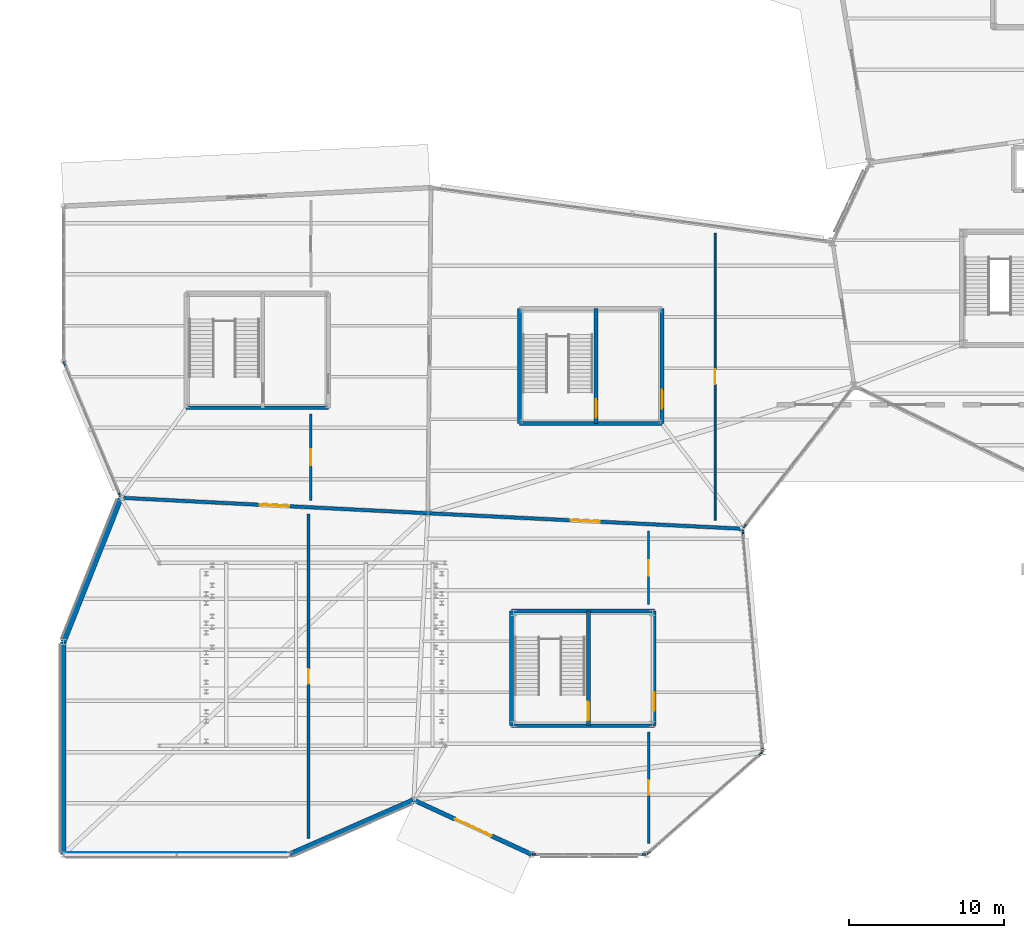
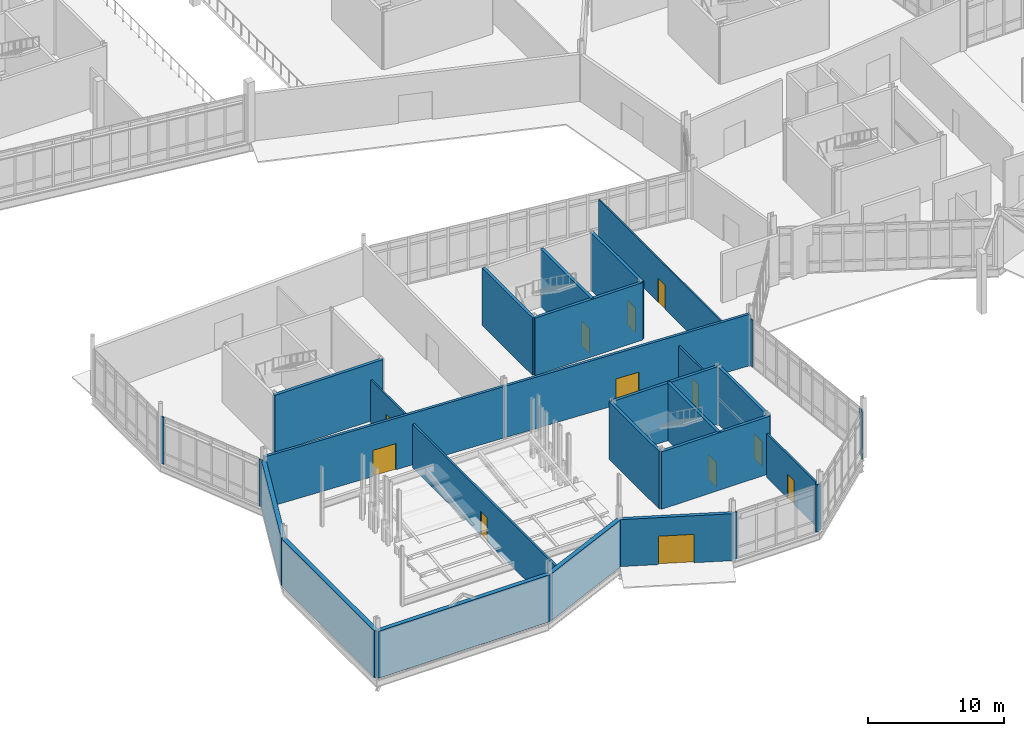
# One storey, part 85 of 113: 31 walls, 12 doors, 12 openings.
"""IFC4 building model written with IfcOpenShell, lengths in metres."""

from ifc_helpers import new_model, si_unit, direction, frame, frame_2d, origin, place, context, subcontext, project, spatial, rectangle, extrude, material, layer, layer_set, type_object, element, fill, save


model = new_model("IFC4")

# Units and contexts
model_context = context("Model", 3, precision=1e-05, world=origin(), true_north=direction((0.0, 1.0)))
body_context = subcontext(model_context, "Body", "Model", "MODEL_VIEW")
ifc_project = project(units=[si_unit("LENGTHUNIT", "METRE"), si_unit("AREAUNIT", "SQUARE_METRE"), si_unit("VOLUMEUNIT", "CUBIC_METRE"), si_unit("PLANEANGLEUNIT", "RADIAN"), si_unit("MASSUNIT", "GRAM", prefix="KILO")], contexts=[model_context])

# Site, building, storey
site_placement = place(None, origin())
site = spatial("IfcSite", under=ifc_project, at=site_placement, CompositionType="ELEMENT")
building_placement = place(site_placement, origin())
building = spatial("IfcBuilding", under=site, at=building_placement, Name="Tameran Prism Museum", CompositionType="ELEMENT")
storey_placement = place(building_placement, origin())
storey = spatial("IfcBuildingStorey", under=building, at=storey_placement, Name="L00", CompositionType="ELEMENT", Elevation=0.0)

# Walls
ifc_material_1 = material(Name="Precast Concrete N40 (40 MPa)", Category="concrete")
ifc_layer_1 = layer(ifc_material_1, 0.360107421875)
ifc_layer_set_1 = layer_set([ifc_layer_1])
wall_type_1 = type_object("IfcWallType", Name="EW-AUD-360", PredefinedType="SOLIDWALL", material=ifc_layer_set_1)
wall_1_placement = place(storey_placement, frame((0.0, 13.699951171875, 0.0), z_axis=(0.0, 0.0, 1.0), x_axis=(0.36968498985, 0.929157149399, 0.0)))
element("IfcWall", 1, at=wall_1_placement, inside=storey, type_object=wall_type_1, Name="Exterior Fluted Precast Wall EW-0123", PredefinedType="SOLIDWALL", context=body_context, shape_type="SweptSolid", body=[
    extrude(rectangle(XDim=9.948974609375, YDim=0.360107421875, at=frame_2d((4.974609375, 0.0))), origin(), (0.0, 0.0, 1.0), 4.219970703125),
])
wall_2_placement = place(storey_placement, frame((0.0, 0.0, 0.0), z_axis=(0.0, 0.0, 1.0), x_axis=(0.0, 1.0, 0.0)))
element("IfcWall", 2, at=wall_2_placement, inside=storey, type_object=wall_type_1, Name="Exterior Fluted Precast Wall EW-0124", PredefinedType="SOLIDWALL", context=body_context, shape_type="SweptSolid", body=[
    extrude(rectangle(XDim=13.699951171875, YDim=0.360107421875, at=frame_2d((6.85009765625, 0.0))), origin(), (0.0, 0.0, 1.0), 4.219970703125),
])
wall_3_placement = place(storey_placement, frame((14.60009765625, 0.0, 0.0), z_axis=(0.0, 0.0, 1.0), x_axis=(-1.0, 0.0, 0.0)))
element("IfcWall", 3, at=wall_3_placement, inside=storey, type_object=wall_type_1, Name="Exterior Fluted Precast Wall EW-0125", PredefinedType="SOLIDWALL", context=body_context, shape_type="SweptSolid", body=[
    extrude(rectangle(XDim=14.60009765625, YDim=0.360107421875, at=frame_2d((7.300048828125, 0.0))), origin(), (0.0, 0.0, 1.0), 4.219970703125),
])
wall_4_placement = place(storey_placement, frame((22.544921875, 3.47607421875, 0.0), z_axis=(0.0, 0.0, 1.0), x_axis=(-0.916148288852, -0.400839510069, 0.0)))
element("IfcWall", 4, at=wall_4_placement, inside=storey, type_object=wall_type_1, Name="Exterior Fluted Precast Wall EW-0126", PredefinedType="SOLIDWALL", context=body_context, shape_type="SweptSolid", body=[
    extrude(rectangle(XDim=8.671875, YDim=0.360107421875, at=frame_2d((4.3359375, 0.0))), origin(), (0.0, 0.0, 1.0), 4.219970703125),
])
ifc_material_2 = material(Name="Precast Concrete N40 (40 MPa)", Category="concrete")
ifc_layer_2 = layer(ifc_material_2, 0.094970703125)
ifc_layer_set_2 = layer_set([ifc_layer_2])
wall_type_2 = type_object("IfcWallType", Name="EW-CLOS-095", PredefinedType="SOLIDWALL", material=ifc_layer_set_2)
for number, where, z_axis, x_axis, name in (
    (5, (37.55810546875, 0.0, 0.0), (0.0, 0.0, 1.0), (-1.0, 0.0, 0.0), "Facade Corner Closure EW-0128"),
    (6, (30.550048828125, 0.0, 0.0), (0.0, 0.0, 1.0), (-1.0, 0.0, 0.0), "Facade Corner Closure EW-0129"),
):
    element("IfcWall", number, at=place(storey_placement, frame(where, z_axis=z_axis, x_axis=x_axis)), inside=storey, type_object=wall_type_2, Name=name, PredefinedType="SOLIDWALL", context=body_context, shape_type="SweptSolid", body=[
        extrude(rectangle(XDim=0.30810546875, YDim=0.094970703125, at=frame_2d((0.154052734375, 0.0))), origin(), (0.0, 0.0, 1.0), 4.219970703125),
    ])
wall_5_placement = place(storey_placement, frame((45.068115234375, 6.572021484375, 0.0), z_axis=(0.0, 0.0, 1.0), x_axis=(-0.75124833206, -0.660019653932, 0.0)))
element("IfcWall", 7, at=wall_5_placement, inside=storey, type_object=wall_type_2, Name="Facade Corner Closure EW-0130", PredefinedType="SOLIDWALL", context=body_context, shape_type="SweptSolid", body=[
    extrude(rectangle(XDim=0.307861328125, YDim=0.094970703125, at=frame_2d((0.15380859375, 0.0))), origin(), (0.0, 0.0, 1.0), 4.219970703125),
])
wall_6_placement = place(storey_placement, frame((37.863037109375, 0.23095703125, 0.0), z_axis=(0.0, 0.0, 1.0), x_axis=(-0.751296149946, -0.659965222627, 0.0)))
element("IfcWall", 8, at=wall_6_placement, inside=storey, type_object=wall_type_2, Name="Facade Corner Closure EW-0131", PredefinedType="SOLIDWALL", context=body_context, shape_type="SweptSolid", body=[
    extrude(rectangle(XDim=0.307373046875, YDim=0.094970703125, at=frame_2d((0.15380859375, 0.0))), origin(), (0.0, 0.0, 1.0), 4.219970703125),
])
for number, where, z_axis, x_axis, name in (
    (9, (43.80908203125, 20.89794921875, 0.0), (0.0, 0.0, 1.0), (0.087176781459, -0.996192857219, 0.0), "Facade Corner Closure EW-0132"),
    (10, (45.069091796875, 6.948974609375, 0.0), (0.0, 0.0, 1.0), (0.087176781459, -0.996192857219, 0.0), "Facade Corner Closure EW-0133"),
    (11, (3.660888671875, 23.093994140625, 0.0), (0.0, 0.0, 1.0), (-0.38894215718, 0.921262176782, 0.0), "Facade Corner Closure EW-0137"),
    (12, (0.135986328125, 31.47705078125, 0.0), (0.0, 0.0, 1.0), (-0.38894215718, 0.921262176782, 0.0), "Facade Corner Closure EW-0138"),
):
    element("IfcWall", number, at=place(storey_placement, frame(where, z_axis=z_axis, x_axis=x_axis)), inside=storey, type_object=wall_type_2, Name=name, PredefinedType="SOLIDWALL", context=body_context, shape_type="SweptSolid", body=[
        extrude(rectangle(XDim=0.30810546875, YDim=0.094970703125, at=frame_2d((0.154052734375, 0.0))), origin(), (0.0, 0.0, 1.0), 4.219970703125),
    ])
wall_7_placement = place(storey_placement, frame((44.052978515625, 21.322998046875, 0.0), z_axis=(0.0, 0.0, 1.0), x_axis=(-0.615966636313, -0.787772240529, 0.0)))
element("IfcWall", 13, at=wall_7_placement, inside=storey, type_object=wall_type_2, Name="Facade Corner Closure EW-0140", PredefinedType="SOLIDWALL", context=body_context, shape_type="SweptSolid", body=[
    extrude(rectangle(XDim=0.308349609375, YDim=0.094970703125, at=frame_2d((0.154296875, 0.0))), origin(), (0.0, 0.0, 1.0), 4.219970703125),
])

# Wall, opening, door
ifc_material_3 = material(Name="Precast Concrete N40 (40 MPa)", Category="concrete")
ifc_layer_3 = layer(ifc_material_3, 0.2900390625)
ifc_layer_set_3 = layer_set([ifc_layer_3])
wall_type_3 = type_object("IfcWallType", Name="EW-FOY-290", PredefinedType="SOLIDWALL", material=ifc_layer_set_3)
wall_8_placement = place(storey_placement, frame((30.199951171875, 0.0, 0.0), z_axis=(0.0, 0.0, 1.0), x_axis=(-0.90830827854, 0.418301411827, 0.0)))
wall_8 = element("IfcWall", 14, at=wall_8_placement, inside=storey, type_object=wall_type_3, Name="Exterior Fluted Precast Wall EW-0127", PredefinedType="SOLIDWALL", context=body_context, shape_type="SweptSolid", body=[
    extrude(rectangle(XDim=8.3076171875, YDim=0.2900390625, at=frame_2d((4.15380859375, 0.0))), origin(), (0.0, 0.0, 1.0), 4.219970703125),
])
opening_1_placement = place(wall_8_placement, frame((2.85400390625, 0.0, 0.0)))
opening_1 = element("IfcOpeningElement", 15, at=opening_1_placement, cuts=wall_8, Name="Opening ED-11", PredefinedType="OPENING", context=body_context, shape_type="SweptSolid", body=[
    extrude(rectangle(XDim=2.60009765625, YDim=2.550048828125, at=frame_2d((1.300048828125, 1.27490234375))), frame((0.0, 0.155029296875, 0.0), z_axis=(0.0, -1.0, 0.0), x_axis=(1.0, 0.0, 0.0)), (0.0, 0.0, 1.0), 0.31005859375),
])
ifc_material_4 = material(Name="Cyclone-Rated Anodised Aluminium 6063-T6 and Laminated Glass", Category="aluminium")
door_type_1 = type_object("IfcDoorType", Name="DR-EXT-240", OperationType="DOUBLE_DOOR_SINGLE_SWING", PredefinedType="DOOR", material=ifc_material_4)
door_1_placement = place(opening_1_placement, origin())
door_1 = element("IfcDoor", 16, at=door_1_placement, inside=storey, type_object=door_type_1, Name="Final Exit Double Door ED-11", OperationType="DOUBLE_DOOR_SINGLE_SWING", OverallHeight=2.550048828125, OverallWidth=2.60009765625, PredefinedType="DOOR", context=body_context, shape_type="SweptSolid", body=[
    extrude(rectangle(XDim=2.60009765625, YDim=2.550048828125, at=frame_2d((1.300048828125, 1.27490234375))), frame((0.0, 0.02490234375, 0.0), z_axis=(0.0, -1.0, 0.0), x_axis=(1.0, 0.0, 0.0)), (0.0, 0.0, 1.0), 0.050048828125),
])
fill(opening_1, door_1)

ifc_material_5 = material(Name="Concrete N40 (40 MPa)", Category="concrete")
ifc_layer_4 = layer(ifc_material_5, 0.22509765625)
ifc_layer_set_4 = layer_set([ifc_layer_4])
wall_type_4 = type_object("IfcWallType", Name="IW-CMP-225", PredefinedType="SOLIDWALL", material=ifc_layer_set_4)
wall_9_placement = place(storey_placement, frame((23.5, 22.0, 0.0), z_axis=(0.0, 0.0, 1.0), x_axis=(-0.99872706092, 0.050440636263, 0.0)))
wall_9 = element("IfcWall", 17, at=wall_9_placement, inside=storey, type_object=wall_type_4, Name="Compartment Wall IW-0043", PredefinedType="SOLIDWALL", context=body_context, shape_type="SweptSolid", body=[
    extrude(rectangle(XDim=19.8251953125, YDim=0.22509765625, at=frame_2d((9.91259765625, 0.0))), origin(), (0.0, 0.0, 1.0), 4.6201171875),
])
opening_2_placement = place(wall_9_placement, frame((8.962890625, 0.0, 0.0)))
opening_2 = element("IfcOpeningElement", 18, at=opening_2_placement, cuts=wall_9, Name="Opening ID-0042", PredefinedType="OPENING", context=body_context, shape_type="SweptSolid", body=[
    extrude(rectangle(XDim=1.89990234375, YDim=2.35009765625, at=frame_2d((0.949951171875, 1.175048828125))), frame((0.0, 0.12255859375, 0.0), z_axis=(0.0, -1.0, 0.0), x_axis=(1.0, 0.0, 0.0)), (0.0, 0.0, 1.0), 0.2451171875),
])
ifc_material_6 = material(Name="Fire-Rated Steel Door Leaf and Frame", Category="steel")
door_type_2 = type_object("IfcDoorType", Name="DR-AUD-190", OperationType="DOUBLE_DOOR_SINGLE_SWING", PredefinedType="DOOR", material=ifc_material_6)
door_2_placement = place(opening_2_placement, origin())
door_2 = element("IfcDoor", 19, at=door_2_placement, inside=storey, type_object=door_type_2, Name="Compartment Door ID-0042", OperationType="DOUBLE_DOOR_SINGLE_SWING", OverallHeight=2.35009765625, OverallWidth=1.89990234375, PredefinedType="DOOR", context=body_context, shape_type="SweptSolid", body=[
    extrude(rectangle(XDim=1.89990234375, YDim=2.35009765625, at=frame_2d((0.949951171875, 1.175048828125))), frame((0.0, 0.02490234375, 0.0), z_axis=(0.0, -1.0, 0.0), x_axis=(1.0, 0.0, 0.0)), (0.0, 0.0, 1.0), 0.050048828125),
])
fill(opening_2, door_2)

wall_10_placement = place(storey_placement, frame((43.800048828125, 21.0, 0.0), z_axis=(0.0, 0.0, 1.0), x_axis=(-0.998788882418, 0.049201304434, 0.0)))
wall_10 = element("IfcWall", 20, at=wall_10_placement, inside=storey, type_object=wall_type_4, Name="Compartment Wall IW-0044", PredefinedType="SOLIDWALL", context=body_context, shape_type="SweptSolid", body=[
    extrude(rectangle(XDim=20.32470703125, YDim=0.22509765625, at=frame_2d((10.162353515625, 0.0))), origin(), (0.0, 0.0, 1.0), 4.6201171875),
])
opening_3_placement = place(wall_10_placement, frame((9.2119140625, 0.0, 0.0)))
opening_3 = element("IfcOpeningElement", 21, at=opening_3_placement, cuts=wall_10, Name="Opening ID-0043", PredefinedType="OPENING", context=body_context, shape_type="SweptSolid", body=[
    extrude(rectangle(XDim=1.89990234375, YDim=2.35009765625, at=frame_2d((0.949951171875, 1.175048828125))), frame((0.0, 0.12255859375, 0.0), z_axis=(0.0, -1.0, 0.0), x_axis=(1.0, 0.0, 0.0)), (0.0, 0.0, 1.0), 0.2451171875),
])
door_3_placement = place(opening_3_placement, origin())
door_3 = element("IfcDoor", 22, at=door_3_placement, inside=storey, type_object=door_type_2, Name="Compartment Door ID-0043", OperationType="DOUBLE_DOOR_SINGLE_SWING", OverallHeight=2.35009765625, OverallWidth=1.89990234375, PredefinedType="DOOR", context=body_context, shape_type="SweptSolid", body=[
    extrude(rectangle(XDim=1.89990234375, YDim=2.35009765625, at=frame_2d((0.949951171875, 1.175048828125))), frame((0.0, 0.02490234375, 0.0), z_axis=(0.0, -1.0, 0.0), x_axis=(1.0, 0.0, 0.0)), (0.0, 0.0, 1.0), 0.050048828125),
])
fill(opening_3, door_3)

# Walls
ifc_material_7 = material(Name="Concrete N40 (40 MPa)", Category="concrete")
ifc_layer_5 = layer(ifc_material_7, 0.25)
ifc_layer_set_5 = layer_set([ifc_layer_5])
wall_type_5 = type_object("IfcWallType", Name="IW-COR-250", PredefinedType="SHEAR", material=ifc_layer_set_5)
wall_11_placement = place(storey_placement, frame((28.89990234375, 8.300048828125, 0.0), z_axis=(0.0, 0.0, 1.0), x_axis=(0.0, 1.0, 0.0)))
element("IfcWall", 23, at=wall_11_placement, inside=storey, type_object=wall_type_5, Name="Core Shear Wall CW-6-L00-W", PredefinedType="SHEAR", context=body_context, shape_type="SweptSolid", body=[
    extrude(rectangle(XDim=7.39990234375, YDim=0.25, at=frame_2d((3.699951171875, 0.0))), origin(), (0.0, 0.0, 1.0), 5.159912109375),
])
for number, where, z_axis, x_axis, name in (
    (24, (28.89990234375, 15.699951171875, 0.0), (0.0, 0.0, 1.0), (1.0, 0.0, 0.0), "Core Shear Wall CW-6-L00-N"),
    (25, (38.10009765625, 8.300048828125, 0.0), (0.0, 0.0, 1.0), (-1.0, 0.0, 0.0), "Core Shear Wall CW-6-L00-S"),
):
    element("IfcWall", number, at=place(storey_placement, frame(where, z_axis=z_axis, x_axis=x_axis)), inside=storey, type_object=wall_type_5, Name=name, PredefinedType="SHEAR", context=body_context, shape_type="SweptSolid", body=[
        extrude(rectangle(XDim=9.2001953125, YDim=0.25, at=frame_2d((4.60009765625, 0.0))), origin(), (0.0, 0.0, 1.0), 5.159912109375),
    ])

# Wall, opening, door
wall_12_placement = place(storey_placement, frame((38.10009765625, 15.699951171875, 0.0), z_axis=(0.0, 0.0, 1.0), x_axis=(0.0, -1.0, 0.0)))
wall_12 = element("IfcWall", 26, at=wall_12_placement, inside=storey, type_object=wall_type_5, Name="Core Shear Wall CW-6-L00-E", PredefinedType="SHEAR", context=body_context, shape_type="SweptSolid", body=[
    extrude(rectangle(XDim=7.39990234375, YDim=0.25, at=frame_2d((3.699951171875, 0.0))), origin(), (0.0, 0.0, 1.0), 5.159912109375),
])
opening_4_placement = place(wall_12_placement, frame((5.25, 0.0, 0.0)))
opening_4 = element("IfcOpeningElement", 27, at=opening_4_placement, cuts=wall_12, Name="Opening FD-0253", PredefinedType="OPENING", context=body_context, shape_type="SweptSolid", body=[
    extrude(rectangle(XDim=1.199951171875, YDim=2.199951171875, at=frame_2d((0.60009765625, 1.10009765625))), frame((0.0, 0.135009765625, 0.0), z_axis=(0.0, -1.0, 0.0), x_axis=(1.0, 0.0, 0.0)), (0.0, 0.0, 1.0), 0.27001953125),
])
ifc_material_8 = material(Name="Fire-Rated Steel Door Leaf and Frame", Category="steel")
door_type_3 = type_object("IfcDoorType", Name="DR-FD-120A", OperationType="NOTDEFINED", PredefinedType="DOOR", material=ifc_material_8)
door_4_placement = place(opening_4_placement, origin())
door_4 = element("IfcDoor", 28, at=door_4_placement, inside=storey, type_object=door_type_3, Name="Core Fire Door FD-0253", OperationType="SINGLE_SWING_LEFT", OverallHeight=2.199951171875, OverallWidth=1.199951171875, PredefinedType="DOOR", context=body_context, shape_type="SweptSolid", body=[
    extrude(rectangle(XDim=1.199951171875, YDim=2.199951171875, at=frame_2d((0.60009765625, 1.10009765625))), frame((0.0, 0.02490234375, 0.0), z_axis=(0.0, -1.0, 0.0), x_axis=(1.0, 0.0, 0.0)), (0.0, 0.0, 1.0), 0.050048828125),
])
fill(opening_4, door_4)

wall_13_placement = place(storey_placement, frame((33.85009765625, 15.699951171875, 0.0), z_axis=(0.0, 0.0, 1.0), x_axis=(0.0, -1.0, 0.0)))
wall_13 = element("IfcWall", 29, at=wall_13_placement, inside=storey, type_object=wall_type_5, Name="Core Shear Wall CW-6-L00-M", PredefinedType="SHEAR", context=body_context, shape_type="SweptSolid", body=[
    extrude(rectangle(XDim=7.39990234375, YDim=0.25, at=frame_2d((3.699951171875, 0.0))), origin(), (0.0, 0.0, 1.0), 5.159912109375),
])
opening_5_placement = place(wall_13_placement, frame((5.85009765625, 0.0, 0.0)))
opening_5 = element("IfcOpeningElement", 30, at=opening_5_placement, cuts=wall_13, Name="Opening FD-0254", PredefinedType="OPENING", context=body_context, shape_type="SweptSolid", body=[
    extrude(rectangle(XDim=1.199951171875, YDim=2.199951171875, at=frame_2d((0.60009765625, 1.10009765625))), frame((0.0, 0.135009765625, 0.0), z_axis=(0.0, -1.0, 0.0), x_axis=(1.0, 0.0, 0.0)), (0.0, 0.0, 1.0), 0.27001953125),
])
door_5_placement = place(opening_5_placement, origin())
door_5 = element("IfcDoor", 31, at=door_5_placement, inside=storey, type_object=door_type_3, Name="Core Fire Door FD-0254", OperationType="SINGLE_SWING_RIGHT", OverallHeight=2.199951171875, OverallWidth=1.199951171875, PredefinedType="DOOR", context=body_context, shape_type="SweptSolid", body=[
    extrude(rectangle(XDim=1.199951171875, YDim=2.199951171875, at=frame_2d((0.60009765625, 1.10009765625))), frame((0.0, 0.02490234375, 0.0), z_axis=(0.0, -1.0, 0.0), x_axis=(1.0, 0.0, 0.0)), (0.0, 0.0, 1.0), 0.050048828125),
])
fill(opening_5, door_5)

# Walls
wall_14_placement = place(storey_placement, frame((17.10009765625, 28.800048828125, 0.0), z_axis=(0.0, 0.0, 1.0), x_axis=(-1.0, 0.0, 0.0)))
element("IfcWall", 32, at=wall_14_placement, inside=storey, type_object=wall_type_5, Name="Core Shear Wall CW-10-L00-S", PredefinedType="SHEAR", context=body_context, shape_type="SweptSolid", body=[
    extrude(rectangle(XDim=9.2001953125, YDim=0.25, at=frame_2d((4.60009765625, 0.0))), origin(), (0.0, 0.0, 1.0), 5.159912109375),
])
wall_15_placement = place(storey_placement, frame((29.39990234375, 27.800048828125, 0.0), z_axis=(0.0, 0.0, 1.0), x_axis=(0.0, 1.0, 0.0)))
element("IfcWall", 33, at=wall_15_placement, inside=storey, type_object=wall_type_5, Name="Core Shear Wall CW-12-L00-W", PredefinedType="SHEAR", context=body_context, shape_type="SweptSolid", body=[
    extrude(rectangle(XDim=7.39990234375, YDim=0.25, at=frame_2d((3.699951171875, 0.0))), origin(), (0.0, 0.0, 1.0), 5.159912109375),
])
wall_16_placement = place(storey_placement, frame((38.60009765625, 27.800048828125, 0.0), z_axis=(0.0, 0.0, 1.0), x_axis=(-1.0, 0.0, 0.0)))
element("IfcWall", 34, at=wall_16_placement, inside=storey, type_object=wall_type_5, Name="Core Shear Wall CW-12-L00-S", PredefinedType="SHEAR", context=body_context, shape_type="SweptSolid", body=[
    extrude(rectangle(XDim=9.2001953125, YDim=0.25, at=frame_2d((4.60009765625, 0.0))), origin(), (0.0, 0.0, 1.0), 5.159912109375),
])

# Wall, opening, door
wall_17_placement = place(storey_placement, frame((38.60009765625, 35.199951171875, 0.0), z_axis=(0.0, 0.0, 1.0), x_axis=(0.0, -1.0, 0.0)))
wall_17 = element("IfcWall", 35, at=wall_17_placement, inside=storey, type_object=wall_type_5, Name="Core Shear Wall CW-12-L00-E", PredefinedType="SHEAR", context=body_context, shape_type="SweptSolid", body=[
    extrude(rectangle(XDim=7.39990234375, YDim=0.25, at=frame_2d((3.699951171875, 0.0))), origin(), (0.0, 0.0, 1.0), 5.159912109375),
])
opening_6_placement = place(wall_17_placement, frame((5.25, 0.0, 0.0)))
opening_6 = element("IfcOpeningElement", 36, at=opening_6_placement, cuts=wall_17, Name="Opening FD-0277", PredefinedType="OPENING", context=body_context, shape_type="SweptSolid", body=[
    extrude(rectangle(XDim=1.199951171875, YDim=2.199951171875, at=frame_2d((0.60009765625, 1.10009765625))), frame((0.0, 0.135009765625, 0.0), z_axis=(0.0, -1.0, 0.0), x_axis=(1.0, 0.0, 0.0)), (0.0, 0.0, 1.0), 0.27001953125),
])
door_6_placement = place(opening_6_placement, origin())
door_6 = element("IfcDoor", 37, at=door_6_placement, inside=storey, type_object=door_type_3, Name="Core Fire Door FD-0277", OperationType="SINGLE_SWING_LEFT", OverallHeight=2.199951171875, OverallWidth=1.199951171875, PredefinedType="DOOR", context=body_context, shape_type="SweptSolid", body=[
    extrude(rectangle(XDim=1.199951171875, YDim=2.199951171875, at=frame_2d((0.60009765625, 1.10009765625))), frame((0.0, 0.02490234375, 0.0), z_axis=(0.0, -1.0, 0.0), x_axis=(1.0, 0.0, 0.0)), (0.0, 0.0, 1.0), 0.050048828125),
])
fill(opening_6, door_6)

wall_18_placement = place(storey_placement, frame((34.35009765625, 35.199951171875, 0.0), z_axis=(0.0, 0.0, 1.0), x_axis=(0.0, -1.0, 0.0)))
wall_18 = element("IfcWall", 38, at=wall_18_placement, inside=storey, type_object=wall_type_5, Name="Core Shear Wall CW-12-L00-M", PredefinedType="SHEAR", context=body_context, shape_type="SweptSolid", body=[
    extrude(rectangle(XDim=7.39990234375, YDim=0.25, at=frame_2d((3.699951171875, 0.0))), origin(), (0.0, 0.0, 1.0), 5.159912109375),
])
opening_7_placement = place(wall_18_placement, frame((5.85009765625, 0.0, 0.0)))
opening_7 = element("IfcOpeningElement", 39, at=opening_7_placement, cuts=wall_18, Name="Opening FD-0278", PredefinedType="OPENING", context=body_context, shape_type="SweptSolid", body=[
    extrude(rectangle(XDim=1.199951171875, YDim=2.199951171875, at=frame_2d((0.60009765625, 1.10009765625))), frame((0.0, 0.135009765625, 0.0), z_axis=(0.0, -1.0, 0.0), x_axis=(1.0, 0.0, 0.0)), (0.0, 0.0, 1.0), 0.27001953125),
])
door_7_placement = place(opening_7_placement, origin())
door_7 = element("IfcDoor", 40, at=door_7_placement, inside=storey, type_object=door_type_3, Name="Core Fire Door FD-0278", OperationType="SINGLE_SWING_RIGHT", OverallHeight=2.199951171875, OverallWidth=1.199951171875, PredefinedType="DOOR", context=body_context, shape_type="SweptSolid", body=[
    extrude(rectangle(XDim=1.199951171875, YDim=2.199951171875, at=frame_2d((0.60009765625, 1.10009765625))), frame((0.0, 0.02490234375, 0.0), z_axis=(0.0, -1.0, 0.0), x_axis=(1.0, 0.0, 0.0)), (0.0, 0.0, 1.0), 0.050048828125),
])
fill(opening_7, door_7)

ifc_material_9 = material(Name="Office Insulated Stud Partition")
ifc_layer_6 = layer(ifc_material_9, 0.1201171875)
ifc_layer_set_6 = layer_set([ifc_layer_6])
wall_type_6 = type_object("IfcWallType", Name="IW-PRT-120", PredefinedType="PARTITIONING", material=ifc_layer_set_6)
wall_19_placement = place(storey_placement, frame((42.02294921875, 21.5380859375, 0.0), z_axis=(0.0, 0.0, 1.0), x_axis=(0.0, 1.0, 0.0)))
wall_19 = element("IfcWall", 41, at=wall_19_placement, inside=storey, type_object=wall_type_6, Name="Internal Partition PT-0070", PredefinedType="PARTITIONING", context=body_context, shape_type="SweptSolid", body=[
    extrude(rectangle(XDim=18.531982421875, YDim=0.1201171875, at=frame_2d((9.26611328125, 0.0))), origin(), (0.0, 0.0, 1.0), 3.919921875),
])
opening_8_placement = place(wall_19_placement, frame((8.77587890625, 0.0, 0.0)))
opening_8 = element("IfcOpeningElement", 42, at=opening_8_placement, cuts=wall_19, Name="Opening ID-0069", PredefinedType="OPENING", context=body_context, shape_type="SweptSolid", body=[
    extrude(rectangle(XDim=0.97998046875, YDim=2.14990234375, at=frame_2d((0.489990234375, 1.074951171875))), frame((0.0, 0.070068359375, 0.0), z_axis=(0.0, -1.0, 0.0), x_axis=(1.0, 0.0, 0.0)), (0.0, 0.0, 1.0), 0.14013671875),
])
ifc_material_10 = material(Name="Acoustic Solid-Core Timber Door", Category="wood")
door_type_4 = type_object("IfcDoorType", Name="DR-INT-098", OperationType="NOTDEFINED", PredefinedType="DOOR", material=ifc_material_10)
door_8_placement = place(opening_8_placement, origin())
door_8 = element("IfcDoor", 43, at=door_8_placement, inside=storey, type_object=door_type_4, Name="Interior Room Door ID-0069", OperationType="SINGLE_SWING_RIGHT", OverallHeight=2.14990234375, OverallWidth=0.97998046875, PredefinedType="DOOR", context=body_context, shape_type="SweptSolid", body=[
    extrude(rectangle(XDim=0.97998046875, YDim=2.14990234375, at=frame_2d((0.489990234375, 1.074951171875))), frame((0.0, 0.02490234375, 0.0), z_axis=(0.0, -1.0, 0.0), x_axis=(1.0, 0.0, 0.0)), (0.0, 0.0, 1.0), 0.050048828125),
])
fill(opening_8, door_8)

ifc_material_11 = material(Name="Acoustic Seminar Stud Partition")
ifc_layer_7 = layer(ifc_material_11, 0.139892578125)
ifc_layer_set_7 = layer_set([ifc_layer_7])
wall_type_7 = type_object("IfcWallType", Name="IW-PRT-140", PredefinedType="PARTITIONING", material=ifc_layer_set_7)
wall_20_placement = place(storey_placement, frame((15.950927734375, 22.83203125, 0.0), z_axis=(0.0, 0.0, 1.0), x_axis=(0.0, 1.0, 0.0)))
wall_20 = element("IfcWall", 44, at=wall_20_placement, inside=storey, type_object=wall_type_7, Name="Internal Partition PT-0068", PredefinedType="PARTITIONING", context=body_context, shape_type="SweptSolid", body=[
    extrude(rectangle(XDim=5.56787109375, YDim=0.139892578125, at=frame_2d((2.783935546875, 0.0))), origin(), (0.0, 0.0, 1.0), 3.919921875),
])
opening_9_placement = place(wall_20_placement, frame((2.259033203125, 0.0, 0.0)))
opening_9 = element("IfcOpeningElement", 45, at=opening_9_placement, cuts=wall_20, Name="Opening ID-0067", PredefinedType="OPENING", context=body_context, shape_type="SweptSolid", body=[
    extrude(rectangle(XDim=1.050048828125, YDim=2.199951171875, at=frame_2d((0.52490234375, 1.10009765625))), frame((0.0, 0.079833984375, 0.0), z_axis=(0.0, -1.0, 0.0), x_axis=(1.0, 0.0, 0.0)), (0.0, 0.0, 1.0), 0.159912109375),
])
ifc_material_12 = material(Name="Fire-Rated Steel Door Leaf and Frame", Category="steel")
door_type_5 = type_object("IfcDoorType", Name="DR-INT-105", OperationType="NOTDEFINED", PredefinedType="DOOR", material=ifc_material_12)
door_9_placement = place(opening_9_placement, origin())
door_9 = element("IfcDoor", 46, at=door_9_placement, inside=storey, type_object=door_type_5, Name="Interior Room Door ID-0067", OperationType="SINGLE_SWING_RIGHT", OverallHeight=2.199951171875, OverallWidth=1.050048828125, PredefinedType="DOOR", context=body_context, shape_type="SweptSolid", body=[
    extrude(rectangle(XDim=1.050048828125, YDim=2.199951171875, at=frame_2d((0.52490234375, 1.10009765625))), frame((0.0, 0.02490234375, 0.0), z_axis=(0.0, -1.0, 0.0), x_axis=(1.0, 0.0, 0.0)), (0.0, 0.0, 1.0), 0.050048828125),
])
fill(opening_9, door_9)

ifc_material_13 = material(Name="Laboratory Moisture-Resistant Partition")
ifc_layer_8 = layer(ifc_material_13, 0.14990234375)
ifc_layer_set_8 = layer_set([ifc_layer_8])
wall_type_8 = type_object("IfcWallType", Name="IW-PRT-150", PredefinedType="PARTITIONING", material=ifc_layer_set_8)
wall_21_placement = place(storey_placement, frame((37.72998046875, 16.10009765625, 0.0), z_axis=(0.0, 0.0, 1.0), x_axis=(0.0, 1.0, 0.0)))
wall_21 = element("IfcWall", 47, at=wall_21_placement, inside=storey, type_object=wall_type_8, Name="Internal Partition PT-0067", PredefinedType="PARTITIONING", context=body_context, shape_type="SweptSolid", body=[
    extrude(rectangle(XDim=4.747802734375, YDim=0.14990234375, at=frame_2d((2.3740234375, 0.0))), origin(), (0.0, 0.0, 1.0), 3.919921875),
])
opening_10_placement = place(wall_21_placement, frame((1.884033203125, 0.0, 0.0)))
opening_10 = element("IfcOpeningElement", 48, at=opening_10_placement, cuts=wall_21, Name="Opening ID-0066", PredefinedType="OPENING", context=body_context, shape_type="SweptSolid", body=[
    extrude(rectangle(XDim=0.97998046875, YDim=2.14990234375, at=frame_2d((0.489990234375, 1.074951171875))), frame((0.0, 0.0849609375, 0.0), z_axis=(0.0, -1.0, 0.0), x_axis=(1.0, 0.0, 0.0)), (0.0, 0.0, 1.0), 0.169921875),
])
door_10_placement = place(opening_10_placement, origin())
door_10 = element("IfcDoor", 49, at=door_10_placement, inside=storey, type_object=door_type_4, Name="Interior Room Door ID-0066", OperationType="SINGLE_SWING_LEFT", OverallHeight=2.14990234375, OverallWidth=0.97998046875, PredefinedType="DOOR", context=body_context, shape_type="SweptSolid", body=[
    extrude(rectangle(XDim=0.97998046875, YDim=2.14990234375, at=frame_2d((0.489990234375, 1.074951171875))), frame((0.0, 0.02490234375, 0.0), z_axis=(0.0, -1.0, 0.0), x_axis=(1.0, 0.0, 0.0)), (0.0, 0.0, 1.0), 0.050048828125),
])
fill(opening_10, door_10)

ifc_material_14 = material(Name="Fire-Rated Corridor Stud Partition")
ifc_layer_9 = layer(ifc_material_14, 0.159912109375)
ifc_layer_set_9 = layer_set([ifc_layer_9])
wall_type_9 = type_object("IfcWallType", Name="IW-PRT-160", PredefinedType="PARTITIONING", material=ifc_layer_set_9)
wall_22_placement = place(storey_placement, frame((37.72998046875, 0.714111328125, 0.0), z_axis=(0.0, 0.0, 1.0), x_axis=(0.0, 1.0, 0.0)))
wall_22 = element("IfcWall", 50, at=wall_22_placement, inside=storey, type_object=wall_type_9, Name="Internal Partition PT-0066", PredefinedType="PARTITIONING", context=body_context, shape_type="SweptSolid", body=[
    extrude(rectangle(XDim=7.185791015625, YDim=0.159912109375, at=frame_2d((3.5927734375, 0.0))), origin(), (0.0, 0.0, 1.0), 3.919921875),
])
opening_11_placement = place(wall_22_placement, frame((3.10302734375, 0.0, 0.0)))
opening_11 = element("IfcOpeningElement", 51, at=opening_11_placement, cuts=wall_22, Name="Opening ID-0065", PredefinedType="OPENING", context=body_context, shape_type="SweptSolid", body=[
    extrude(rectangle(XDim=0.97998046875, YDim=2.14990234375, at=frame_2d((0.489990234375, 1.074951171875))), frame((0.0, 0.08984375, 0.0), z_axis=(0.0, -1.0, 0.0), x_axis=(1.0, 0.0, 0.0)), (0.0, 0.0, 1.0), 0.179931640625),
])
door_11_placement = place(opening_11_placement, origin())
door_11 = element("IfcDoor", 52, at=door_11_placement, inside=storey, type_object=door_type_4, Name="Interior Room Door ID-0065", OperationType="SINGLE_SWING_RIGHT", OverallHeight=2.14990234375, OverallWidth=0.97998046875, PredefinedType="DOOR", context=body_context, shape_type="SweptSolid", body=[
    extrude(rectangle(XDim=0.97998046875, YDim=2.14990234375, at=frame_2d((0.489990234375, 1.074951171875))), frame((0.0, 0.02490234375, 0.0), z_axis=(0.0, -1.0, 0.0), x_axis=(1.0, 0.0, 0.0)), (0.0, 0.0, 1.0), 0.050048828125),
])
fill(opening_11, door_11)

ifc_material_15 = material(Name="Gallery Plywood-Backed Stud Partition", Category="wood")
ifc_layer_10 = layer(ifc_material_15, 0.169921875)
ifc_layer_set_10 = layer_set([ifc_layer_10])
wall_type_10 = type_object("IfcWallType", Name="IW-PRT-170", PredefinedType="PARTITIONING", material=ifc_layer_set_10)
wall_23_placement = place(storey_placement, frame((15.803955078125, 1.01806640625, 0.0), z_axis=(0.0, 0.0, 1.0), x_axis=(0.0, 1.0, 0.0)))
wall_23 = element("IfcWall", 53, at=wall_23_placement, inside=storey, type_object=wall_type_10, Name="Internal Partition PT-0065", PredefinedType="PARTITIONING", context=body_context, shape_type="SweptSolid", body=[
    extrude(rectangle(XDim=20.919921875, YDim=0.169921875, at=frame_2d((10.4599609375, 0.0))), origin(), (0.0, 0.0, 1.0), 3.919921875),
])
opening_12_placement = place(wall_23_placement, frame((9.985107421875, 0.0, 0.0)))
opening_12 = element("IfcOpeningElement", 54, at=opening_12_placement, cuts=wall_23, Name="Opening ID-0064", PredefinedType="OPENING", context=body_context, shape_type="SweptSolid", body=[
    extrude(rectangle(XDim=0.949951171875, YDim=2.14990234375, at=frame_2d((0.47509765625, 1.074951171875))), frame((0.0, 0.094970703125, 0.0), z_axis=(0.0, -1.0, 0.0), x_axis=(1.0, 0.0, 0.0)), (0.0, 0.0, 1.0), 0.18994140625),
])
ifc_material_16 = material(Name="Acoustic Solid-Core Timber Door", Category="wood")
door_type_6 = type_object("IfcDoorType", Name="DR-INT-095", OperationType="NOTDEFINED", PredefinedType="DOOR", material=ifc_material_16)
door_12_placement = place(opening_12_placement, origin())
door_12 = element("IfcDoor", 55, at=door_12_placement, inside=storey, type_object=door_type_6, Name="Interior Room Door ID-0064", OperationType="SINGLE_SWING_LEFT", OverallHeight=2.14990234375, OverallWidth=0.949951171875, PredefinedType="DOOR", context=body_context, shape_type="SweptSolid", body=[
    extrude(rectangle(XDim=0.949951171875, YDim=2.14990234375, at=frame_2d((0.47509765625, 1.074951171875))), frame((0.0, 0.02490234375, 0.0), z_axis=(0.0, -1.0, 0.0), x_axis=(1.0, 0.0, 0.0)), (0.0, 0.0, 1.0), 0.050048828125),
])
fill(opening_12, door_12)

save(model, "model.ifc")
